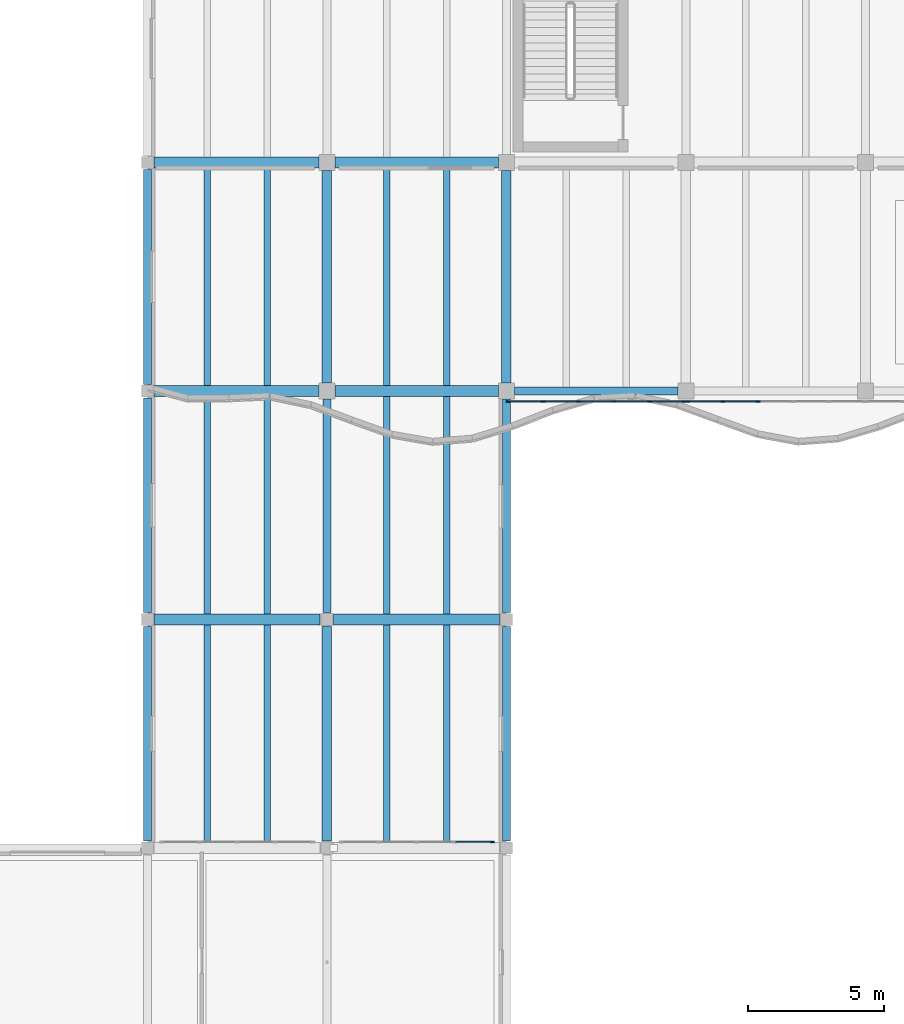
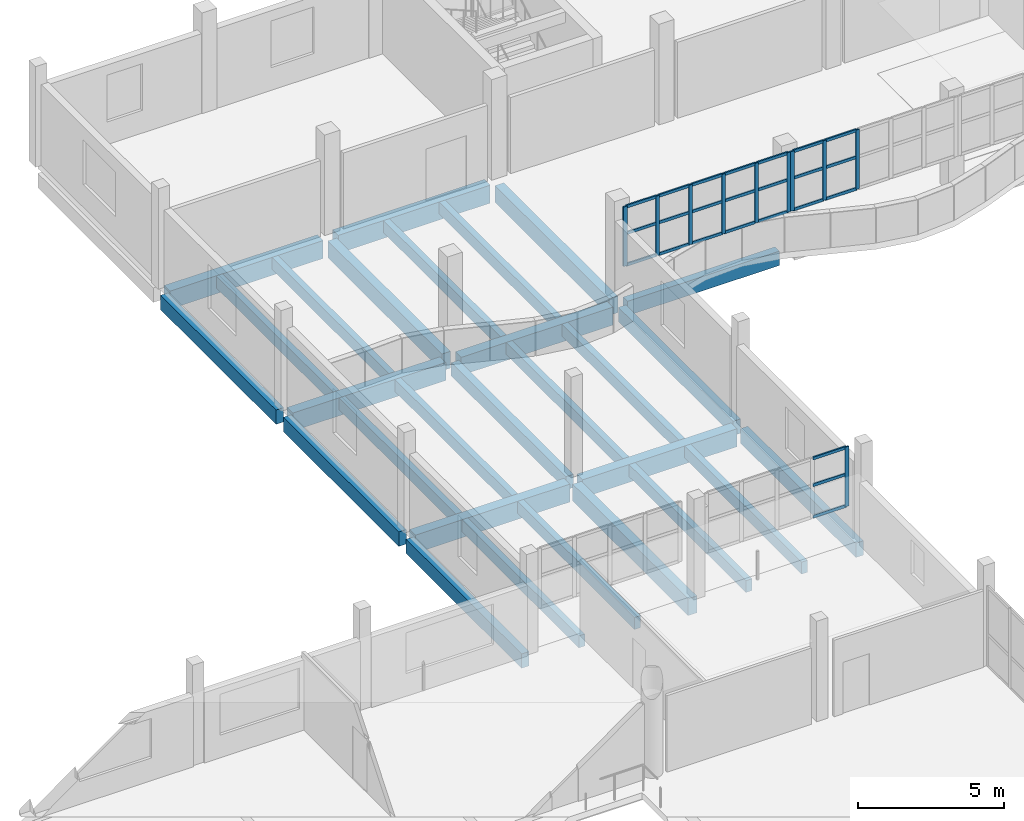
# One storey, part 10 of 74: 34 members, 28 beams, 3 elements without a shape of their own.
"""IFC4 building model written with IfcOpenShell, lengths in metres."""

from ifc_helpers import new_model, si_unit, direction, frame, origin, origin_2d, place, context, subcontext, project, spatial, rectangle, extrude, material, material_profile, profile_set, type_object, element, aggregate, save


model = new_model("IFC4")

# Units and contexts
model_context = context("Model", 3, precision=1e-05, world=origin(), true_north=direction((0.0, 1.0)))
body_context = subcontext(model_context, "Body", "Model", "MODEL_VIEW")
ifc_project = project(units=[si_unit("LENGTHUNIT", "METRE"), si_unit("AREAUNIT", "SQUARE_METRE"), si_unit("VOLUMEUNIT", "CUBIC_METRE"), si_unit("PLANEANGLEUNIT", "RADIAN"), si_unit("MASSUNIT", "GRAM", prefix="KILO")], contexts=[model_context])

# Site, building, storey
site_placement = place(None, origin())
site = spatial("IfcSite", under=ifc_project, at=site_placement, CompositionType="ELEMENT")
building_placement = place(site_placement, origin())
building = spatial("IfcBuilding", under=site, at=building_placement, Name="Qaldarim Faculty of Natural and Applied Sciences", CompositionType="ELEMENT")
storey_placement = place(building_placement, frame((0.0, 0.0, 14.39990234375)))
storey = spatial("IfcBuildingStorey", under=building, at=storey_placement, Name="L03", CompositionType="ELEMENT", Elevation=14.39990234375)

# Beams
ifc_material_1 = material(Name="Concrete C40/50", Category="concrete")
ifc_material_profile_1 = material_profile(ifc_material_1, rectangle(XDim=0.300048828125, YDim=0.550048828125, at=origin_2d()), Name="RC-B300x550")
ifc_profile_set_1 = profile_set([ifc_material_profile_1], Name="Concrete C40/50")
beam_type_1 = type_object("IfcBeamType", Name="FloorBeam-RC300x550", PredefinedType="BEAM", material=ifc_profile_set_1)
beam_1_placement = place(storey_placement, frame((39.60009765625, 92.64990234375, -0.534912109375), z_axis=(0.0, 1.0, 0.0), x_axis=(-1.0, 0.0, 0.0)))
element("IfcBeam", 1, at=beam_1_placement, inside=storey, type_object=beam_type_1, Name="Beam RC-B300x550 L02 X07/Y12-Y13", PredefinedType="BEAM", context=body_context, shape_type="SweptSolid", body=[
    extrude(rectangle(XDim=0.300048828125, YDim=0.550048828125, at=origin_2d()), origin(), (0.0, 0.0, 1.0), 7.85009765625),
])
ifc_material_profile_2 = material_profile(ifc_material_1, rectangle(XDim=0.239990234375, YDim=0.5, at=origin_2d()), Name="RC-J240x500")
ifc_profile_set_2 = profile_set([ifc_material_profile_2], Name="Concrete C40/50")
beam_type_2 = type_object("IfcBeamType", Name="HeavyJoist-RC240x500", PredefinedType="JOIST", material=ifc_profile_set_2)
for number, where, z_axis, x_axis, name in (
    (2, (35.199951171875, 84.199951171875, -0.510009765625), (0.0, 1.0, 0.0), (-1.0, 0.0, 0.0), "Laboratory joist L02 bay X06Y11-1"),
    (3, (37.39990234375, 84.199951171875, -0.510009765625), (0.0, 1.0, 0.0), (-1.0, 0.0, 0.0), "Laboratory joist L02 bay X06Y11-2"),
    (4, (35.199951171875, 92.60009765625, -0.510009765625), (0.0, 1.0, 0.0), (-1.0, 0.0, 0.0), "Laboratory joist L02 bay X06Y12-1"),
    (5, (37.39990234375, 92.60009765625, -0.510009765625), (0.0, 1.0, 0.0), (-1.0, 0.0, 0.0), "Laboratory joist L02 bay X06Y12-2"),
    (6, (35.199951171875, 101.0, -0.510009765625), (0.0, 1.0, 0.0), (-1.0, 0.0, 0.0), "Laboratory joist L02 bay X06Y13-1"),
    (7, (37.39990234375, 101.0, -0.510009765625), (0.0, 1.0, 0.0), (-1.0, 0.0, 0.0), "Laboratory joist L02 bay X06Y13-2"),
    (8, (41.800048828125, 84.199951171875, -0.510009765625), (0.0, 1.0, 0.0), (-1.0, 0.0, 0.0), "Laboratory joist L02 bay X07Y11-1"),
    (9, (44.0, 84.199951171875, -0.510009765625), (0.0, 1.0, 0.0), (-1.0, 0.0, 0.0), "Laboratory joist L02 bay X07Y11-2"),
    (10, (41.800048828125, 92.60009765625, -0.510009765625), (0.0, 1.0, 0.0), (-1.0, 0.0, 0.0), "Laboratory joist L02 bay X07Y12-1"),
    (11, (44.0, 92.60009765625, -0.510009765625), (0.0, 1.0, 0.0), (-1.0, 0.0, 0.0), "Laboratory joist L02 bay X07Y12-2"),
    (12, (41.800048828125, 101.0, -0.510009765625), (0.0, 1.0, 0.0), (-1.0, 0.0, 0.0), "Laboratory joist L02 bay X07Y13-1"),
    (13, (44.0, 101.0, -0.510009765625), (0.0, 1.0, 0.0), (-1.0, 0.0, 0.0), "Laboratory joist L02 bay X07Y13-2"),
):
    element("IfcBeam", number, at=place(storey_placement, frame(where, z_axis=z_axis, x_axis=x_axis)), inside=storey, type_object=beam_type_2, Name=name, PredefinedType="JOIST", context=body_context, shape_type="SweptSolid", body=[
        extrude(rectangle(XDim=0.239990234375, YDim=0.5, at=origin_2d()), origin(), (0.0, 0.0, 1.0), 8.0),
    ])
ifc_material_2 = material(Name="Concrete C50/60", Category="concrete")
ifc_material_profile_3 = material_profile(ifc_material_2, rectangle(XDim=0.39990234375, YDim=0.75, at=origin_2d()), Name="RC-B400x750")
ifc_profile_set_3 = profile_set([ifc_material_profile_3], Name="Concrete C50/60")
beam_type_3 = type_object("IfcBeamType", Name="LabGirder-RC400x750", PredefinedType="BEAM", material=ifc_profile_set_3)
beam_2_placement = place(storey_placement, frame((33.25, 92.39990234375, -0.635009765625), z_axis=(1.0, 0.0, 0.0), x_axis=(0.0, 1.0, 0.0)))
element("IfcBeam", 14, at=beam_2_placement, inside=storey, type_object=beam_type_3, Name="Beam RC-B400x750 L02 X06-X07/Y12", PredefinedType="BEAM", context=body_context, shape_type="SweptSolid", body=[
    extrude(rectangle(XDim=0.39990234375, YDim=0.75, at=origin_2d()), origin(), (0.0, 0.0, 1.0), 6.10009765625),
])
beam_3_placement = place(storey_placement, frame((39.85009765625, 92.39990234375, -0.635009765625), z_axis=(1.0, 0.0, 0.0), x_axis=(0.0, 1.0, 0.0)))
element("IfcBeam", 15, at=beam_3_placement, inside=storey, type_object=beam_type_3, Name="Beam RC-B400x750 L02 X07-X08/Y12", PredefinedType="BEAM", context=body_context, shape_type="SweptSolid", body=[
    extrude(rectangle(XDim=0.39990234375, YDim=0.75, at=origin_2d()), origin(), (0.0, 0.0, 1.0), 6.099853515625),
])
beam_4_placement = place(storey_placement, frame((33.25, 100.800048828125, -0.635009765625), z_axis=(1.0, 0.0, 0.0), x_axis=(0.0, 1.0, 0.0)))
element("IfcBeam", 16, at=beam_4_placement, inside=storey, type_object=beam_type_3, Name="Beam RC-B400x750 L02 X06-X07/Y13", PredefinedType="BEAM", context=body_context, shape_type="SweptSolid", body=[
    extrude(rectangle(XDim=0.39990234375, YDim=0.75, at=origin_2d()), origin(), (0.0, 0.0, 1.0), 6.050048828125),
])
beam_5_placement = place(storey_placement, frame((39.89990234375, 100.800048828125, -0.635009765625), z_axis=(1.0, 0.0, 0.0), x_axis=(0.0, 1.0, 0.0)))
element("IfcBeam", 17, at=beam_5_placement, inside=storey, type_object=beam_type_3, Name="Beam RC-B400x750 L02 X07-X08/Y13", PredefinedType="BEAM", context=body_context, shape_type="SweptSolid", body=[
    extrude(rectangle(XDim=0.39990234375, YDim=0.75, at=origin_2d()), origin(), (0.0, 0.0, 1.0), 6.0),
])
beam_6_placement = place(storey_placement, frame((33.25, 109.199951171875, -0.635009765625), z_axis=(1.0, 0.0, 0.0), x_axis=(0.0, 1.0, 0.0)))
element("IfcBeam", 18, at=beam_6_placement, inside=storey, type_object=beam_type_3, Name="Beam RC-B400x750 L02 X06-X07/Y14", PredefinedType="BEAM", context=body_context, shape_type="SweptSolid", body=[
    extrude(rectangle(XDim=0.39990234375, YDim=0.75, at=origin_2d()), origin(), (0.0, 0.0, 1.0), 6.050048828125),
])
beam_7_placement = place(storey_placement, frame((39.89990234375, 109.199951171875, -0.635009765625), z_axis=(1.0, 0.0, 0.0), x_axis=(0.0, 1.0, 0.0)))
element("IfcBeam", 19, at=beam_7_placement, inside=storey, type_object=beam_type_3, Name="Beam RC-B400x750 L02 X07-X08/Y14", PredefinedType="BEAM", context=body_context, shape_type="SweptSolid", body=[
    extrude(rectangle(XDim=0.39990234375, YDim=0.75, at=origin_2d()), origin(), (0.0, 0.0, 1.0), 6.0),
])

# Curtain wall, member
ifc_material_3 = material(Name="Anodised aluminium AW-6063", Category="aluminium")
curtain_wall_type = type_object("IfcCurtainWallType", Name="CurtainWallSystem-M1400", PredefinedType="USERDEFINED", material=ifc_material_3)
curtain_wall_1_placement = place(storey_placement, origin())
curtain_wall_1 = element("IfcCurtainWall", 20, at=curtain_wall_1_placement, inside=storey, type_object=curtain_wall_type, Name="Curtain wall CW-V4RIB-L03-X07", ObjectType="STICK CURTAIN WALL", PredefinedType="USERDEFINED")
ifc_material_profile_4 = material_profile(ifc_material_3, rectangle(XDim=0.06005859375, YDim=0.14990234375, at=origin_2d()), Name="ALU-M60x150")
ifc_profile_set_4 = profile_set([ifc_material_profile_4], Name="Anodised aluminium AW-6063")
member_type_1 = type_object("IfcMemberType", Name="Mullion-ALU60x150", PredefinedType="MULLION", material=ifc_profile_set_4)
member_1_placement = place(storey_placement, frame((45.669921875, 84.219970703125, 1.4501953125), z_axis=(0.0, 0.0, 1.0), x_axis=(0.0, 1.0, 0.0)))
member_1 = element("IfcMember", 21, at=member_1_placement, type_object=member_type_1, Name="Mullion 5 of CW-V4RIB-L03-X07", PredefinedType="MULLION", context=body_context, shape_type="SweptSolid", body=[
    extrude(rectangle(XDim=0.06005859375, YDim=0.14990234375, at=origin_2d()), origin(), (0.0, 0.0, 1.0), 2.489990234375),
])

# Curtain wall, members
curtain_wall_2_placement = place(storey_placement, origin())
curtain_wall_2 = element("IfcCurtainWall", 22, at=curtain_wall_2_placement, inside=storey, type_object=curtain_wall_type, Name="Curtain wall CW-V4RIB-L03-X08", ObjectType="STICK CURTAIN WALL", PredefinedType="USERDEFINED")
member_2_placement = place(storey_placement, frame((46.27001953125, 100.419921875, 1.4501953125), z_axis=(0.0, 0.0, 1.0), x_axis=(0.0, 1.0, 0.0)))
member_2 = element("IfcMember", 23, at=member_2_placement, type_object=member_type_1, Name="Mullion 1 of CW-V4RIB-L03-X08", PredefinedType="MULLION", context=body_context, shape_type="SweptSolid", body=[
    extrude(rectangle(XDim=0.06005859375, YDim=0.14990234375, at=origin_2d()), origin(), (0.0, 0.0, 1.0), 2.489990234375),
])
member_3_placement = place(storey_placement, frame((47.5439453125, 100.419921875, 1.4501953125), z_axis=(0.0, 0.0, 1.0), x_axis=(0.0, 1.0, 0.0)))
member_3 = element("IfcMember", 24, at=member_3_placement, type_object=member_type_1, Name="Mullion 2 of CW-V4RIB-L03-X08", PredefinedType="MULLION", context=body_context, shape_type="SweptSolid", body=[
    extrude(rectangle(XDim=0.06005859375, YDim=0.14990234375, at=origin_2d()), origin(), (0.0, 0.0, 1.0), 2.489990234375),
])
member_4_placement = place(storey_placement, frame((48.847900390625, 100.419921875, 1.4501953125), z_axis=(0.0, 0.0, 1.0), x_axis=(0.0, 1.0, 0.0)))
member_4 = element("IfcMember", 25, at=member_4_placement, type_object=member_type_1, Name="Mullion 3 of CW-V4RIB-L03-X08", PredefinedType="MULLION", context=body_context, shape_type="SweptSolid", body=[
    extrude(rectangle(XDim=0.06005859375, YDim=0.14990234375, at=origin_2d()), origin(), (0.0, 0.0, 1.0), 2.489990234375),
])
member_5_placement = place(storey_placement, frame((50.152099609375, 100.419921875, 1.4501953125), z_axis=(0.0, 0.0, 1.0), x_axis=(0.0, 1.0, 0.0)))
member_5 = element("IfcMember", 26, at=member_5_placement, type_object=member_type_1, Name="Mullion 4 of CW-V4RIB-L03-X08", PredefinedType="MULLION", context=body_context, shape_type="SweptSolid", body=[
    extrude(rectangle(XDim=0.06005859375, YDim=0.14990234375, at=origin_2d()), origin(), (0.0, 0.0, 1.0), 2.489990234375),
])
member_6_placement = place(storey_placement, frame((51.4560546875, 100.419921875, 1.4501953125), z_axis=(0.0, 0.0, 1.0), x_axis=(0.0, 1.0, 0.0)))
member_6 = element("IfcMember", 27, at=member_6_placement, type_object=member_type_1, Name="Mullion 5 of CW-V4RIB-L03-X08", PredefinedType="MULLION", context=body_context, shape_type="SweptSolid", body=[
    extrude(rectangle(XDim=0.06005859375, YDim=0.14990234375, at=origin_2d()), origin(), (0.0, 0.0, 1.0), 2.489990234375),
])
member_7_placement = place(storey_placement, frame((52.72998046875, 100.419921875, 1.4501953125), z_axis=(0.0, 0.0, 1.0), x_axis=(0.0, 1.0, 0.0)))
member_7 = element("IfcMember", 28, at=member_7_placement, type_object=member_type_1, Name="Mullion 6 of CW-V4RIB-L03-X08", PredefinedType="MULLION", context=body_context, shape_type="SweptSolid", body=[
    extrude(rectangle(XDim=0.06005859375, YDim=0.14990234375, at=origin_2d()), origin(), (0.0, 0.0, 1.0), 2.489990234375),
])

curtain_wall_3_placement = place(storey_placement, origin())
curtain_wall_3 = element("IfcCurtainWall", 29, at=curtain_wall_3_placement, inside=storey, type_object=curtain_wall_type, Name="Curtain wall CW-V4RIB-L03-X09", ObjectType="STICK CURTAIN WALL", PredefinedType="USERDEFINED")
member_8_placement = place(storey_placement, frame((52.8701171875, 100.419921875, 1.4501953125), z_axis=(0.0, 0.0, 1.0), x_axis=(0.0, 1.0, 0.0)))
member_8 = element("IfcMember", 30, at=member_8_placement, type_object=member_type_1, Name="Mullion 1 of CW-V4RIB-L03-X09", PredefinedType="MULLION", context=body_context, shape_type="SweptSolid", body=[
    extrude(rectangle(XDim=0.06005859375, YDim=0.14990234375, at=origin_2d()), origin(), (0.0, 0.0, 1.0), 2.489990234375),
])
member_9_placement = place(storey_placement, frame((54.14404296875, 100.419921875, 1.4501953125), z_axis=(0.0, 0.0, 1.0), x_axis=(0.0, 1.0, 0.0)))
member_9 = element("IfcMember", 31, at=member_9_placement, type_object=member_type_1, Name="Mullion 2 of CW-V4RIB-L03-X09", PredefinedType="MULLION", context=body_context, shape_type="SweptSolid", body=[
    extrude(rectangle(XDim=0.06005859375, YDim=0.14990234375, at=origin_2d()), origin(), (0.0, 0.0, 1.0), 2.489990234375),
])
member_10_placement = place(storey_placement, frame((55.447998046875, 100.419921875, 1.4501953125), z_axis=(0.0, 0.0, 1.0), x_axis=(0.0, 1.0, 0.0)))
member_10 = element("IfcMember", 32, at=member_10_placement, type_object=member_type_1, Name="Mullion 3 of CW-V4RIB-L03-X09", PredefinedType="MULLION", context=body_context, shape_type="SweptSolid", body=[
    extrude(rectangle(XDim=0.06005859375, YDim=0.14990234375, at=origin_2d()), origin(), (0.0, 0.0, 1.0), 2.489990234375),
])

# Beams
ifc_material_profile_5 = material_profile(ifc_material_1, rectangle(XDim=0.35009765625, YDim=0.699951171875, at=origin_2d()), Name="RC-B350x700")
ifc_profile_set_5 = profile_set([ifc_material_profile_5], Name="Concrete C40/50")
beam_type_4 = type_object("IfcBeamType", Name="PrimaryGirder-RC350x700", PredefinedType="BEAM", material=ifc_profile_set_5)
beam_8_placement = place(storey_placement, frame((39.60009765625, 84.25, -0.60986328125), z_axis=(0.0, 1.0, 0.0), x_axis=(-1.0, 0.0, 0.0)))
element("IfcBeam", 33, at=beam_8_placement, inside=storey, type_object=beam_type_4, Name="Beam RC-B350x700 L02 X07/Y11-Y12", PredefinedType="BEAM", context=body_context, shape_type="SweptSolid", body=[
    extrude(rectangle(XDim=0.35009765625, YDim=0.699951171875, at=origin_2d()), origin(), (0.0, 0.0, 1.0), 7.89990234375),
])
for number, where, z_axis, x_axis, name in (
    (34, (39.60009765625, 101.10009765625, -0.60986328125), (0.0, 1.0, 0.0), (-1.0, 0.0, 0.0), "Beam RC-B350x700 L02 X07/Y13-Y14"),
    (35, (46.199951171875, 101.10009765625, -0.60986328125), (0.0, 1.0, 0.0), (-1.0, 0.0, 0.0), "Beam RC-B350x700 L02 X08/Y13-Y14"),
):
    element("IfcBeam", number, at=place(storey_placement, frame(where, z_axis=z_axis, x_axis=x_axis)), inside=storey, type_object=beam_type_4, Name=name, PredefinedType="BEAM", context=body_context, shape_type="SweptSolid", body=[
        extrude(rectangle(XDim=0.35009765625, YDim=0.699951171875, at=origin_2d()), origin(), (0.0, 0.0, 1.0), 7.7998046875),
    ])
ifc_material_4 = material(Name="Precast concrete C40/50", Category="concrete")
ifc_material_profile_6 = material_profile(ifc_material_4, rectangle(XDim=0.300048828125, YDim=0.60009765625, at=origin_2d()), Name="RC-SP300x600")
ifc_profile_set_6 = profile_set([ifc_material_profile_6], Name="Precast concrete C40/50")
beam_type_5 = type_object("IfcBeamType", Name="SpandrelBeam-RC300x600", PredefinedType="SPANDREL", material=ifc_profile_set_6)
beam_9_placement = place(storey_placement, frame((46.5, 100.800048828125, -0.559814453125), z_axis=(1.0, 0.0, 0.0), x_axis=(0.0, 1.0, 0.0)))
element("IfcBeam", 36, at=beam_9_placement, inside=storey, type_object=beam_type_5, Name="Beam RC-SP300x600 L02 X08-X09/Y13", PredefinedType="SPANDREL", context=body_context, shape_type="SweptSolid", body=[
    extrude(rectangle(XDim=0.300048828125, YDim=0.60009765625, at=origin_2d()), origin(), (0.0, 0.0, 1.0), 6.0),
])
beam_10_placement = place(storey_placement, frame((33.0, 84.25, -0.559814453125), z_axis=(0.0, 1.0, 0.0), x_axis=(-1.0, 0.0, 0.0)))
element("IfcBeam", 37, at=beam_10_placement, inside=storey, type_object=beam_type_5, Name="Beam RC-SP300x600 L02 X06/Y11-Y12", PredefinedType="SPANDREL", context=body_context, shape_type="SweptSolid", body=[
    extrude(rectangle(XDim=0.300048828125, YDim=0.60009765625, at=origin_2d()), origin(), (0.0, 0.0, 1.0), 7.89990234375),
])
beam_11_placement = place(storey_placement, frame((33.0, 92.64990234375, -0.559814453125), z_axis=(0.0, 1.0, 0.0), x_axis=(-1.0, 0.0, 0.0)))
element("IfcBeam", 38, at=beam_11_placement, inside=storey, type_object=beam_type_5, Name="Beam RC-SP300x600 L02 X06/Y12-Y13", PredefinedType="SPANDREL", context=body_context, shape_type="SweptSolid", body=[
    extrude(rectangle(XDim=0.300048828125, YDim=0.60009765625, at=origin_2d()), origin(), (0.0, 0.0, 1.0), 7.900146484375),
])
for number, where, z_axis, x_axis, name in (
    (39, (33.0, 101.050048828125, -0.559814453125), (0.0, 1.0, 0.0), (-1.0, 0.0, 0.0), "Beam RC-SP300x600 L02 X06/Y13-Y14"),
    (40, (46.199951171875, 84.25, -0.559814453125), (0.0, 1.0, 0.0), (-1.0, 0.0, 0.0), "Beam RC-SP300x600 L02 X08/Y11-Y12"),
):
    element("IfcBeam", number, at=place(storey_placement, frame(where, z_axis=z_axis, x_axis=x_axis)), inside=storey, type_object=beam_type_5, Name=name, PredefinedType="SPANDREL", context=body_context, shape_type="SweptSolid", body=[
        extrude(rectangle(XDim=0.300048828125, YDim=0.60009765625, at=origin_2d()), origin(), (0.0, 0.0, 1.0), 7.89990234375),
    ])
beam_12_placement = place(storey_placement, frame((46.199951171875, 92.64990234375, -0.559814453125), z_axis=(0.0, 1.0, 0.0), x_axis=(-1.0, 0.0, 0.0)))
element("IfcBeam", 41, at=beam_12_placement, inside=storey, type_object=beam_type_5, Name="Beam RC-SP300x600 L02 X08/Y12-Y13", PredefinedType="SPANDREL", context=body_context, shape_type="SweptSolid", body=[
    extrude(rectangle(XDim=0.300048828125, YDim=0.60009765625, at=origin_2d()), origin(), (0.0, 0.0, 1.0), 7.85009765625),
])

# Member
ifc_material_profile_7 = material_profile(ifc_material_3, rectangle(XDim=0.06005859375, YDim=0.1201171875, at=origin_2d()), Name="ALU-T60x120")
ifc_profile_set_7 = profile_set([ifc_material_profile_7], Name="Anodised aluminium AW-6063")
member_type_2 = type_object("IfcMemberType", Name="Transom-ALU60x120", PredefinedType="USERDEFINED", material=ifc_profile_set_7)
member_11_placement = place(storey_placement, frame((44.330078125, 84.219970703125, 1.47998046875), z_axis=(1.0, 0.0, 0.0), x_axis=(0.0, 1.0, 0.0)))
member_11 = element("IfcMember", 42, at=member_11_placement, type_object=member_type_2, Name="Transom 4-1 of CW-V4RIB-L03-X07", ObjectType="TRANSOM", PredefinedType="USERDEFINED", context=body_context, shape_type="SweptSolid", body=[
    extrude(rectangle(XDim=0.06005859375, YDim=0.1201171875, at=origin_2d()), origin(), (0.0, 0.0, 1.0), 1.309814453125),
])

member_12_placement = place(storey_placement, frame((44.330078125, 84.219970703125, 2.800048828125), z_axis=(1.0, 0.0, 0.0), x_axis=(0.0, 1.0, 0.0)))
member_12 = element("IfcMember", 43, at=member_12_placement, type_object=member_type_2, Name="Transom 4-2 of CW-V4RIB-L03-X07", ObjectType="TRANSOM", PredefinedType="USERDEFINED", context=body_context, shape_type="SweptSolid", body=[
    extrude(rectangle(XDim=0.06005859375, YDim=0.1201171875, at=origin_2d()), origin(), (0.0, 0.0, 1.0), 1.309814453125),
])

member_13_placement = place(storey_placement, frame((44.330078125, 84.219970703125, 3.91015625), z_axis=(1.0, 0.0, 0.0), x_axis=(0.0, 1.0, 0.0)))
member_13 = element("IfcMember", 44, at=member_13_placement, type_object=member_type_2, Name="Transom 4-3 of CW-V4RIB-L03-X07", ObjectType="TRANSOM", PredefinedType="USERDEFINED", context=body_context, shape_type="SweptSolid", body=[
    extrude(rectangle(XDim=0.06005859375, YDim=0.1201171875, at=origin_2d()), origin(), (0.0, 0.0, 1.0), 1.309814453125),
])

aggregate(curtain_wall_1, [member_1, member_11, member_12, member_13])

member_14_placement = place(storey_placement, frame((46.300048828125, 100.419921875, 1.47998046875), z_axis=(1.0, 0.0, 0.0), x_axis=(0.0, 1.0, 0.0)))
member_14 = element("IfcMember", 45, at=member_14_placement, type_object=member_type_2, Name="Transom 1-1 of CW-V4RIB-L03-X08", ObjectType="TRANSOM", PredefinedType="USERDEFINED", context=body_context, shape_type="SweptSolid", body=[
    extrude(rectangle(XDim=0.06005859375, YDim=0.1201171875, at=origin_2d()), origin(), (0.0, 0.0, 1.0), 1.2138671875),
])

member_15_placement = place(storey_placement, frame((46.300048828125, 100.419921875, 2.800048828125), z_axis=(1.0, 0.0, 0.0), x_axis=(0.0, 1.0, 0.0)))
member_15 = element("IfcMember", 46, at=member_15_placement, type_object=member_type_2, Name="Transom 1-2 of CW-V4RIB-L03-X08", ObjectType="TRANSOM", PredefinedType="USERDEFINED", context=body_context, shape_type="SweptSolid", body=[
    extrude(rectangle(XDim=0.06005859375, YDim=0.1201171875, at=origin_2d()), origin(), (0.0, 0.0, 1.0), 1.2138671875),
])

member_16_placement = place(storey_placement, frame((46.300048828125, 100.419921875, 3.91015625), z_axis=(1.0, 0.0, 0.0), x_axis=(0.0, 1.0, 0.0)))
member_16 = element("IfcMember", 47, at=member_16_placement, type_object=member_type_2, Name="Transom 1-3 of CW-V4RIB-L03-X08", ObjectType="TRANSOM", PredefinedType="USERDEFINED", context=body_context, shape_type="SweptSolid", body=[
    extrude(rectangle(XDim=0.06005859375, YDim=0.1201171875, at=origin_2d()), origin(), (0.0, 0.0, 1.0), 1.2138671875),
])

member_17_placement = place(storey_placement, frame((47.573974609375, 100.419921875, 1.47998046875), z_axis=(1.0, 0.0, 0.0), x_axis=(0.0, 1.0, 0.0)))
member_17 = element("IfcMember", 48, at=member_17_placement, type_object=member_type_2, Name="Transom 2-1 of CW-V4RIB-L03-X08", ObjectType="TRANSOM", PredefinedType="USERDEFINED", context=body_context, shape_type="SweptSolid", body=[
    extrude(rectangle(XDim=0.06005859375, YDim=0.1201171875, at=origin_2d()), origin(), (0.0, 0.0, 1.0), 1.244140625),
])

member_18_placement = place(storey_placement, frame((47.573974609375, 100.419921875, 2.800048828125), z_axis=(1.0, 0.0, 0.0), x_axis=(0.0, 1.0, 0.0)))
member_18 = element("IfcMember", 49, at=member_18_placement, type_object=member_type_2, Name="Transom 2-2 of CW-V4RIB-L03-X08", ObjectType="TRANSOM", PredefinedType="USERDEFINED", context=body_context, shape_type="SweptSolid", body=[
    extrude(rectangle(XDim=0.06005859375, YDim=0.1201171875, at=origin_2d()), origin(), (0.0, 0.0, 1.0), 1.244140625),
])

member_19_placement = place(storey_placement, frame((47.573974609375, 100.419921875, 3.91015625), z_axis=(1.0, 0.0, 0.0), x_axis=(0.0, 1.0, 0.0)))
member_19 = element("IfcMember", 50, at=member_19_placement, type_object=member_type_2, Name="Transom 2-3 of CW-V4RIB-L03-X08", ObjectType="TRANSOM", PredefinedType="USERDEFINED", context=body_context, shape_type="SweptSolid", body=[
    extrude(rectangle(XDim=0.06005859375, YDim=0.1201171875, at=origin_2d()), origin(), (0.0, 0.0, 1.0), 1.244140625),
])

member_20_placement = place(storey_placement, frame((48.8779296875, 100.419921875, 1.47998046875), z_axis=(1.0, 0.0, 0.0), x_axis=(0.0, 1.0, 0.0)))
member_20 = element("IfcMember", 51, at=member_20_placement, type_object=member_type_2, Name="Transom 3-1 of CW-V4RIB-L03-X08", ObjectType="TRANSOM", PredefinedType="USERDEFINED", context=body_context, shape_type="SweptSolid", body=[
    extrude(rectangle(XDim=0.06005859375, YDim=0.1201171875, at=origin_2d()), origin(), (0.0, 0.0, 1.0), 1.244140625),
])

member_21_placement = place(storey_placement, frame((48.8779296875, 100.419921875, 2.800048828125), z_axis=(1.0, 0.0, 0.0), x_axis=(0.0, 1.0, 0.0)))
member_21 = element("IfcMember", 52, at=member_21_placement, type_object=member_type_2, Name="Transom 3-2 of CW-V4RIB-L03-X08", ObjectType="TRANSOM", PredefinedType="USERDEFINED", context=body_context, shape_type="SweptSolid", body=[
    extrude(rectangle(XDim=0.06005859375, YDim=0.1201171875, at=origin_2d()), origin(), (0.0, 0.0, 1.0), 1.244140625),
])

member_22_placement = place(storey_placement, frame((48.8779296875, 100.419921875, 3.91015625), z_axis=(1.0, 0.0, 0.0), x_axis=(0.0, 1.0, 0.0)))
member_22 = element("IfcMember", 53, at=member_22_placement, type_object=member_type_2, Name="Transom 3-3 of CW-V4RIB-L03-X08", ObjectType="TRANSOM", PredefinedType="USERDEFINED", context=body_context, shape_type="SweptSolid", body=[
    extrude(rectangle(XDim=0.06005859375, YDim=0.1201171875, at=origin_2d()), origin(), (0.0, 0.0, 1.0), 1.244140625),
])

member_23_placement = place(storey_placement, frame((50.181884765625, 100.419921875, 1.47998046875), z_axis=(1.0, 0.0, 0.0), x_axis=(0.0, 1.0, 0.0)))
member_23 = element("IfcMember", 54, at=member_23_placement, type_object=member_type_2, Name="Transom 4-1 of CW-V4RIB-L03-X08", ObjectType="TRANSOM", PredefinedType="USERDEFINED", context=body_context, shape_type="SweptSolid", body=[
    extrude(rectangle(XDim=0.06005859375, YDim=0.1201171875, at=origin_2d()), origin(), (0.0, 0.0, 1.0), 1.244140625),
])

member_24_placement = place(storey_placement, frame((50.181884765625, 100.419921875, 2.800048828125), z_axis=(1.0, 0.0, 0.0), x_axis=(0.0, 1.0, 0.0)))
member_24 = element("IfcMember", 55, at=member_24_placement, type_object=member_type_2, Name="Transom 4-2 of CW-V4RIB-L03-X08", ObjectType="TRANSOM", PredefinedType="USERDEFINED", context=body_context, shape_type="SweptSolid", body=[
    extrude(rectangle(XDim=0.06005859375, YDim=0.1201171875, at=origin_2d()), origin(), (0.0, 0.0, 1.0), 1.244140625),
])

member_25_placement = place(storey_placement, frame((50.181884765625, 100.419921875, 3.91015625), z_axis=(1.0, 0.0, 0.0), x_axis=(0.0, 1.0, 0.0)))
member_25 = element("IfcMember", 56, at=member_25_placement, type_object=member_type_2, Name="Transom 4-3 of CW-V4RIB-L03-X08", ObjectType="TRANSOM", PredefinedType="USERDEFINED", context=body_context, shape_type="SweptSolid", body=[
    extrude(rectangle(XDim=0.06005859375, YDim=0.1201171875, at=origin_2d()), origin(), (0.0, 0.0, 1.0), 1.244140625),
])

member_26_placement = place(storey_placement, frame((51.486083984375, 100.419921875, 1.47998046875), z_axis=(1.0, 0.0, 0.0), x_axis=(0.0, 1.0, 0.0)))
member_26 = element("IfcMember", 57, at=member_26_placement, type_object=member_type_2, Name="Transom 5-1 of CW-V4RIB-L03-X08", ObjectType="TRANSOM", PredefinedType="USERDEFINED", context=body_context, shape_type="SweptSolid", body=[
    extrude(rectangle(XDim=0.06005859375, YDim=0.1201171875, at=origin_2d()), origin(), (0.0, 0.0, 1.0), 1.2138671875),
])

member_27_placement = place(storey_placement, frame((51.486083984375, 100.419921875, 2.800048828125), z_axis=(1.0, 0.0, 0.0), x_axis=(0.0, 1.0, 0.0)))
member_27 = element("IfcMember", 58, at=member_27_placement, type_object=member_type_2, Name="Transom 5-2 of CW-V4RIB-L03-X08", ObjectType="TRANSOM", PredefinedType="USERDEFINED", context=body_context, shape_type="SweptSolid", body=[
    extrude(rectangle(XDim=0.06005859375, YDim=0.1201171875, at=origin_2d()), origin(), (0.0, 0.0, 1.0), 1.2138671875),
])

member_28_placement = place(storey_placement, frame((51.486083984375, 100.419921875, 3.91015625), z_axis=(1.0, 0.0, 0.0), x_axis=(0.0, 1.0, 0.0)))
member_28 = element("IfcMember", 59, at=member_28_placement, type_object=member_type_2, Name="Transom 5-3 of CW-V4RIB-L03-X08", ObjectType="TRANSOM", PredefinedType="USERDEFINED", context=body_context, shape_type="SweptSolid", body=[
    extrude(rectangle(XDim=0.06005859375, YDim=0.1201171875, at=origin_2d()), origin(), (0.0, 0.0, 1.0), 1.2138671875),
])

aggregate(curtain_wall_2, [member_2, member_3, member_4, member_5, member_6, member_7, member_14, member_15, member_16, member_17, member_18, member_19, member_20, member_21, member_22, member_23, member_24, member_25, member_26, member_27, member_28])

member_29_placement = place(storey_placement, frame((52.89990234375, 100.419921875, 1.47998046875), z_axis=(1.0, 0.0, 0.0), x_axis=(0.0, 1.0, 0.0)))
member_29 = element("IfcMember", 60, at=member_29_placement, type_object=member_type_2, Name="Transom 1-1 of CW-V4RIB-L03-X09", ObjectType="TRANSOM", PredefinedType="USERDEFINED", context=body_context, shape_type="SweptSolid", body=[
    extrude(rectangle(XDim=0.06005859375, YDim=0.1201171875, at=origin_2d()), origin(), (0.0, 0.0, 1.0), 1.214111328125),
])

member_30_placement = place(storey_placement, frame((52.89990234375, 100.419921875, 2.800048828125), z_axis=(1.0, 0.0, 0.0), x_axis=(0.0, 1.0, 0.0)))
member_30 = element("IfcMember", 61, at=member_30_placement, type_object=member_type_2, Name="Transom 1-2 of CW-V4RIB-L03-X09", ObjectType="TRANSOM", PredefinedType="USERDEFINED", context=body_context, shape_type="SweptSolid", body=[
    extrude(rectangle(XDim=0.06005859375, YDim=0.1201171875, at=origin_2d()), origin(), (0.0, 0.0, 1.0), 1.214111328125),
])

member_31_placement = place(storey_placement, frame((52.89990234375, 100.419921875, 3.91015625), z_axis=(1.0, 0.0, 0.0), x_axis=(0.0, 1.0, 0.0)))
member_31 = element("IfcMember", 62, at=member_31_placement, type_object=member_type_2, Name="Transom 1-3 of CW-V4RIB-L03-X09", ObjectType="TRANSOM", PredefinedType="USERDEFINED", context=body_context, shape_type="SweptSolid", body=[
    extrude(rectangle(XDim=0.06005859375, YDim=0.1201171875, at=origin_2d()), origin(), (0.0, 0.0, 1.0), 1.214111328125),
])

member_32_placement = place(storey_placement, frame((54.174072265625, 100.419921875, 1.47998046875), z_axis=(1.0, 0.0, 0.0), x_axis=(0.0, 1.0, 0.0)))
member_32 = element("IfcMember", 63, at=member_32_placement, type_object=member_type_2, Name="Transom 2-1 of CW-V4RIB-L03-X09", ObjectType="TRANSOM", PredefinedType="USERDEFINED", context=body_context, shape_type="SweptSolid", body=[
    extrude(rectangle(XDim=0.06005859375, YDim=0.1201171875, at=origin_2d()), origin(), (0.0, 0.0, 1.0), 1.243896484375),
])

member_33_placement = place(storey_placement, frame((54.174072265625, 100.419921875, 2.800048828125), z_axis=(1.0, 0.0, 0.0), x_axis=(0.0, 1.0, 0.0)))
member_33 = element("IfcMember", 64, at=member_33_placement, type_object=member_type_2, Name="Transom 2-2 of CW-V4RIB-L03-X09", ObjectType="TRANSOM", PredefinedType="USERDEFINED", context=body_context, shape_type="SweptSolid", body=[
    extrude(rectangle(XDim=0.06005859375, YDim=0.1201171875, at=origin_2d()), origin(), (0.0, 0.0, 1.0), 1.243896484375),
])

member_34_placement = place(storey_placement, frame((54.174072265625, 100.419921875, 3.91015625), z_axis=(1.0, 0.0, 0.0), x_axis=(0.0, 1.0, 0.0)))
member_34 = element("IfcMember", 65, at=member_34_placement, type_object=member_type_2, Name="Transom 2-3 of CW-V4RIB-L03-X09", ObjectType="TRANSOM", PredefinedType="USERDEFINED", context=body_context, shape_type="SweptSolid", body=[
    extrude(rectangle(XDim=0.06005859375, YDim=0.1201171875, at=origin_2d()), origin(), (0.0, 0.0, 1.0), 1.243896484375),
])

aggregate(curtain_wall_3, [member_8, member_9, member_10, member_29, member_30, member_31, member_32, member_33, member_34])

save(model, "model.ifc")
